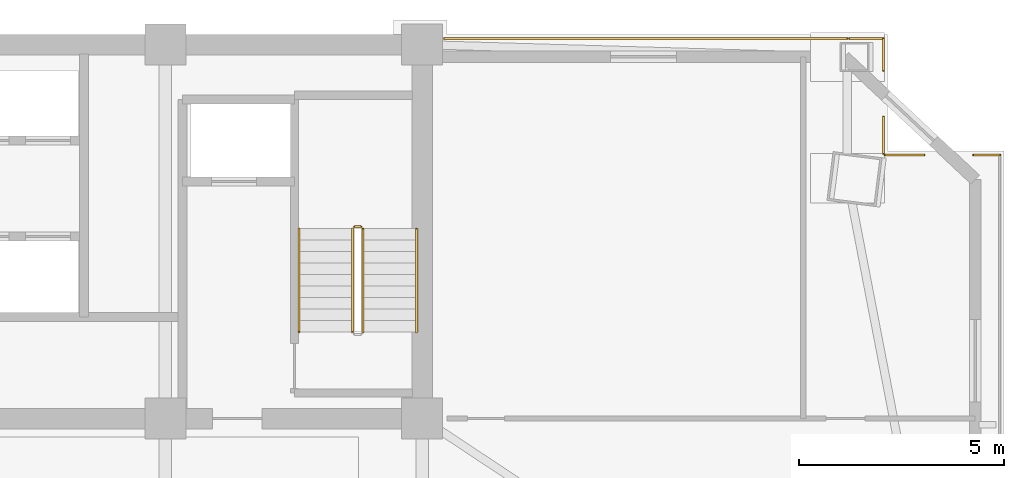
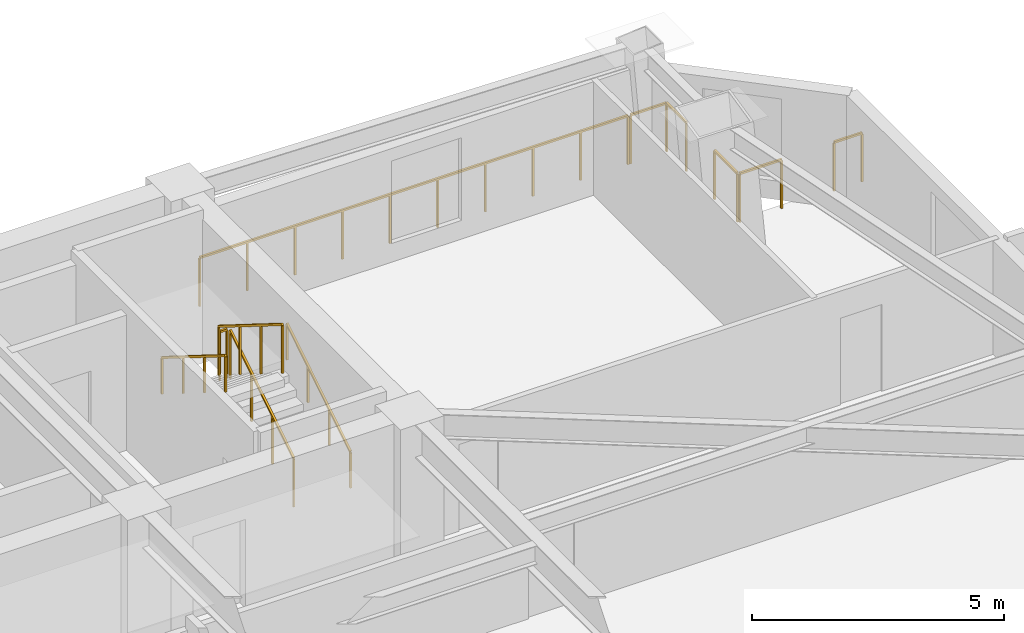
# One storey, part 16 of 16: 11 railings.
"""IFC4 building model written with IfcOpenShell, lengths in metres."""

import ifcopenshell
import ifcopenshell.guid

model = None  # the IFC model being written
_history = None  # IfcOwnerHistory: only IFC2X3 demands one
_inside = {}  # id of a spatial element -> (the spatial element, [elements in it])
_under = {}  # id of a project, library or spatial element -> (it, [spatial elements below it])
_declared = {}  # id of a project -> (the project, [libraries it declares])
_typed = {}  # id of a type object -> (the type object, [elements of that type])
_made_of = {}  # id of a material, layer set ... -> (it, [elements and type objects made of it])


def new_model(schema):
    """Start an empty IFC model of exactly this schema.

    Asked for "IFC4X3", IfcOpenShell would pick the latest addendum, in which some entities
    have other attributes; the version numbers below select the first issue.
    IFC2X3 requires an IfcOwnerHistory on every rooted entity: one is made here for all.
    """
    global model, _history
    if schema == "IFC4X3":
        model = ifcopenshell.file(schema_version=(4, 3, 0, 0))
    else:
        model = ifcopenshell.file(schema=schema)
    _inside.clear()
    _under.clear()
    _declared.clear()
    _typed.clear()
    _made_of.clear()
    _history = None
    if model.schema == "IFC2X3":
        org = make("IfcOrganization", Name="unknown")
        user = make(
            "IfcPersonAndOrganization",
            ThePerson=make("IfcPerson", FamilyName="unknown"),
            TheOrganization=org,
        )
        app = make(
            "IfcApplication",
            ApplicationDeveloper=org,
            Version="unknown",
            ApplicationFullName="unknown",
            ApplicationIdentifier="unknown",
        )
        _history = make(
            "IfcOwnerHistory",
            OwningUser=user,
            OwningApplication=app,
            ChangeAction="ADDED",
            CreationDate=0,
        )
    return model


def make(cls, **values):
    """One entity of the class cls with the attributes given. An attribute that is None is left unset."""
    return model.create_entity(
        cls, **{name: value for name, value in values.items() if value is not None}
    )


def rooted(cls, **values):
    """An entity with a GlobalId (a new one), such as an element, a storey or a relation."""
    return make(cls, GlobalId=ifcopenshell.guid.new(), OwnerHistory=_history, **values)


def si_unit(unit_type, name, prefix=None):
    """IfcSIUnit, for example si_unit("LENGTHUNIT", "METRE", prefix="MILLI")."""
    return make("IfcSIUnit", UnitType=unit_type, Prefix=prefix, Name=name)


def assignment(units):
    """IfcUnitAssignment: the units of a project."""
    return None if units is None else make("IfcUnitAssignment", Units=units)


def point(xyz):
    """IfcCartesianPoint."""
    return None if xyz is None else make("IfcCartesianPoint", Coordinates=xyz)


def direction(xyz):
    """IfcDirection."""
    return None if xyz is None else make("IfcDirection", DirectionRatios=xyz)


def frame(location, z_axis=None, x_axis=None):
    """IfcAxis2Placement3D, a coordinate frame: its origin and axes. An axis left out is left unset."""
    return make(
        "IfcAxis2Placement3D",
        Location=point(location),
        Axis=direction(z_axis),
        RefDirection=direction(x_axis),
    )


def frame_2d(location, x_axis=None):
    """IfcAxis2Placement2D, a coordinate frame in the plane: its origin and x axis."""
    return make(
        "IfcAxis2Placement2D", Location=point(location), RefDirection=direction(x_axis)
    )


def origin():
    """The frame at (0, 0, 0) with its axes left unset."""
    return frame((0.0, 0.0, 0.0))


def origin_2d():
    """The frame at (0, 0) in the plane with its x axis left unset."""
    return frame_2d((0.0, 0.0))


def place(relative_to, where):
    """IfcLocalPlacement: puts the frame where relative to a parent placement (None: the world)."""
    return make(
        "IfcLocalPlacement", PlacementRelTo=relative_to, RelativePlacement=where
    )


def context(
    kind, dimensions, precision=None, world=None, true_north=None, identifier=None
):
    """IfcGeometricRepresentationContext, for example the 3D "Model" context."""
    return make(
        "IfcGeometricRepresentationContext",
        ContextIdentifier=identifier,
        ContextType=kind,
        CoordinateSpaceDimension=dimensions,
        Precision=precision,
        WorldCoordinateSystem=world,
        TrueNorth=true_north,
    )


def subcontext(parent, identifier, kind, view, scale=None):
    """IfcGeometricRepresentationSubContext, for example "Body" below "Model"."""
    return make(
        "IfcGeometricRepresentationSubContext",
        ContextIdentifier=identifier,
        ContextType=kind,
        ParentContext=parent,
        TargetScale=scale,
        TargetView=view,
    )


def project(units=None, contexts=None):
    """IfcProject with its units and contexts."""
    return rooted(
        "IfcProject",
        Name="project",
        RepresentationContexts=contexts,
        UnitsInContext=assignment(units),
    )


def spatial(cls, under=None, at=None, **own):
    """A site, building, storey or space (cls), placed at a placement, below another one or the project."""
    s = rooted(cls, ObjectPlacement=at, **own)
    if under is not None:
        _under.setdefault(under.id(), (under, []))[1].append(s)
    return s


def profile(cls, at=None, kind="AREA", **sizes):
    """A parametric profile (cls). Its sizes go by their IFC names, for example OverallWidth=200.0."""
    return make(cls, ProfileType=kind, Position=at, **sizes)


def rectangle(**sizes):
    """IfcRectangleProfileDef."""
    return profile("IfcRectangleProfileDef", **sizes)


def extrude(swept, where, along, depth):
    """IfcExtrudedAreaSolid: the profile swept, set in the frame where, extruded along a direction by depth."""
    return make(
        "IfcExtrudedAreaSolid",
        SweptArea=swept,
        Position=where,
        ExtrudedDirection=direction(along),
        Depth=depth,
    )


def shape(context_of_items, identifier, shape_type, items):
    """IfcShapeRepresentation: the items that make up one representation, for example the "Body"."""
    return make(
        "IfcShapeRepresentation",
        ContextOfItems=context_of_items,
        RepresentationIdentifier=identifier,
        RepresentationType=shape_type,
        Items=items,
    )


def material(Name=None, Category=None):
    """IfcMaterial."""
    return make("IfcMaterial", Name=Name, Category=Category)


def made_of(thing, what):
    """Note that an element or type object is made of a material, layer set ...; save() writes the relation."""
    if what is not None:
        _made_of.setdefault(what.id(), (what, []))[1].append(thing)
    return thing


def type_object(cls, material=None, **own):
    """A type object (cls), such as IfcWallType, which elements share."""
    return made_of(rooted(cls, **own), material)


def element(
    cls,
    number,
    at=None,
    inside=None,
    cuts=None,
    type_object=None,
    material=None,
    context=None,
    identifier="Body",
    shape_type=None,
    held_by="IfcProductDefinitionShape",
    body=None,
    shapes=None,
    **own,
):
    """One element of the class cls, such as IfcWall. Its Tag is "e" and its number.

    at: its placement. inside: the storey or other place that contains it. cuts: it is an
    opening in that element (IfcRelVoidsElement). A single representation is given by context,
    identifier, shape_type and body (its items); several are given by shapes. held_by: the class
    of the entity that holds the representations. save() writes the other relations.
    """
    e = rooted(cls, Tag="e%d" % number, ObjectPlacement=at, **own)
    if body is not None:
        shapes = [shape(context, identifier, shape_type, body)]
    if shapes is not None:
        e.Representation = make(held_by, Representations=shapes)
    if inside is not None:
        _inside.setdefault(inside.id(), (inside, []))[1].append(e)
    if cuts is not None:
        rooted(
            "IfcRelVoidsElement", RelatingBuildingElement=cuts, RelatedOpeningElement=e
        )
    if type_object is not None:
        _typed.setdefault(type_object.id(), (type_object, []))[1].append(e)
    return made_of(e, material)


def aggregate(whole, parts):
    """IfcRelAggregates: a whole, such as a stair, and the parts it consists of."""
    return rooted("IfcRelAggregates", RelatingObject=whole, RelatedObjects=parts)


def save(model, path):
    """Write the relations noted so far, then the file.

    IfcRelAggregates (storeys below a building ...), IfcRelContainedInSpatialStructure (elements
    in a storey), IfcRelDefinesByType, IfcRelAssociatesMaterial and IfcRelDeclares: one each for
    every whole, place, type object, material and project.
    """
    for whole, parts in _under.values():
        aggregate(whole, parts)
    for where, things in _inside.values():
        rooted(
            "IfcRelContainedInSpatialStructure",
            RelatedElements=things,
            RelatingStructure=where,
        )
    for kind, things in _typed.values():
        rooted("IfcRelDefinesByType", RelatedObjects=things, RelatingType=kind)
    for what, things in _made_of.values():
        rooted("IfcRelAssociatesMaterial", RelatedObjects=things, RelatingMaterial=what)
    for by, libraries in _declared.values():
        rooted("IfcRelDeclares", RelatingContext=by, RelatedDefinitions=libraries)
    model.write(path)


model = new_model("IFC4")

# Units and contexts
model_context = context("Model", 3, precision=1e-05, world=origin(), true_north=direction((0.0, 1.0)))
body_context = subcontext(model_context, "Body", "Model", "MODEL_VIEW")
ifc_project = project(units=[si_unit("LENGTHUNIT", "METRE"), si_unit("AREAUNIT", "SQUARE_METRE"), si_unit("VOLUMEUNIT", "CUBIC_METRE"), si_unit("PLANEANGLEUNIT", "RADIAN"), si_unit("MASSUNIT", "GRAM", prefix="KILO")], contexts=[model_context])

# Site, building, storey
site_placement = place(None, origin())
site = spatial("IfcSite", under=ifc_project, at=site_placement, CompositionType="ELEMENT")
building_placement = place(site_placement, origin())
building = spatial("IfcBuilding", under=site, at=building_placement, Name="Giltprow Tower", CompositionType="ELEMENT")
storey_placement = place(building_placement, frame((0.0, 0.0, 199.199951171875)))
storey = spatial("IfcBuildingStorey", under=building, at=storey_placement, Name="L50", CompositionType="ELEMENT", Elevation=199.199951171875)

# Railings
ifc_material = material(Name="Anodized bronze", Category="metal")
railing_type_1 = type_object("IfcRailingType", Name="RAIL-BALC-GUARD-1200", PredefinedType="BALUSTRADE", material=ifc_material)
railing_1_placement = place(storey_placement, frame((51.0849609375, 46.699951171875, 0.0)))
element("IfcRailing", 1, at=railing_1_placement, inside=storey, type_object=railing_type_1, Name="L50 Corner Apron Edge Balustrade 20", PredefinedType="BALUSTRADE", context=body_context, shape_type="SweptSolid", body=[
    extrude(rectangle(XDim=0.048095703125, YDim=0.048095703125, at=origin_2d()), frame((0.0, 0.0, 1.17578125), z_axis=(1.0, 0.0, 0.0), x_axis=(0.0, 1.0, 0.0)), (0.0, 0.0, 1.0), 9.80712890625),
    extrude(rectangle(XDim=0.0419921875, YDim=0.0419921875, at=origin_2d()), origin(), (0.0, 0.0, 1.0), 1.15185546875),
    extrude(rectangle(XDim=0.0419921875, YDim=0.0419921875, at=origin_2d()), frame((1.089599609375, 0.0, 0.0)), (0.0, 0.0, 1.0), 1.15185546875),
    extrude(rectangle(XDim=0.0419921875, YDim=0.0419921875, at=origin_2d()), frame((2.179443359375, 0.0, 0.0)), (0.0, 0.0, 1.0), 1.15185546875),
    extrude(rectangle(XDim=0.0419921875, YDim=0.0419921875, at=origin_2d()), frame((3.26904296875, 0.0, 0.0)), (0.0, 0.0, 1.0), 1.15185546875),
    extrude(rectangle(XDim=0.0419921875, YDim=0.0419921875, at=origin_2d()), frame((4.358642578125, 0.0, 0.0)), (0.0, 0.0, 1.0), 1.15185546875),
    extrude(rectangle(XDim=0.0419921875, YDim=0.0419921875, at=origin_2d()), frame((5.448486328125, 0.0, 0.0)), (0.0, 0.0, 1.0), 1.15185546875),
    extrude(rectangle(XDim=0.0419921875, YDim=0.0419921875, at=origin_2d()), frame((6.5380859375, 0.0, 0.0)), (0.0, 0.0, 1.0), 1.15185546875),
    extrude(rectangle(XDim=0.0419921875, YDim=0.0419921875, at=origin_2d()), frame((7.627685546875, 0.0, 0.0)), (0.0, 0.0, 1.0), 1.15185546875),
    extrude(rectangle(XDim=0.0419921875, YDim=0.0419921875, at=origin_2d()), frame((8.717529296875, 0.0, 0.0)), (0.0, 0.0, 1.0), 1.15185546875),
    extrude(rectangle(XDim=0.0419921875, YDim=0.0419921875, at=origin_2d()), frame((9.80712890625, 0.0, 0.0)), (0.0, 0.0, 1.0), 1.15185546875),
])
railing_2_placement = place(storey_placement, frame((60.946044921875, 46.699951171875, 0.0)))
element("IfcRailing", 2, at=railing_2_placement, inside=storey, type_object=railing_type_1, Name="L50 Corner Apron Edge Balustrade 21", PredefinedType="BALUSTRADE", context=body_context, shape_type="SweptSolid", body=[
    extrude(rectangle(XDim=0.048095703125, YDim=0.048095703125, at=origin_2d()), frame((0.0, 0.0, 1.17578125), z_axis=(1.0, 0.0, 0.0), x_axis=(0.0, 1.0, 0.0)), (0.0, 0.0, 1.0), 0.8310546875),
    extrude(rectangle(XDim=0.0419921875, YDim=0.0419921875, at=origin_2d()), origin(), (0.0, 0.0, 1.0), 1.15185546875),
    extrude(rectangle(XDim=0.0419921875, YDim=0.0419921875, at=origin_2d()), frame((0.8310546875, 0.0, 0.0)), (0.0, 0.0, 1.0), 1.15185546875),
])
railing_3_placement = place(storey_placement, frame((61.777099609375, 46.699951171875, 0.0)))
element("IfcRailing", 3, at=railing_3_placement, inside=storey, type_object=railing_type_1, Name="L50 Corner Apron Edge Balustrade 22", PredefinedType="BALUSTRADE", context=body_context, shape_type="SweptSolid", body=[
    extrude(rectangle(XDim=0.048095703125, YDim=0.048095703125, at=origin_2d()), frame((0.0, 0.0, 1.17578125), z_axis=(0.0, -1.0, 0.0), x_axis=(1.0, 0.0, 0.0)), (0.0, 0.0, 1.0), 0.77783203125),
    extrude(rectangle(XDim=0.0419921875, YDim=0.0419921875, at=origin_2d()), origin(), (0.0, 0.0, 1.0), 1.15185546875),
    extrude(rectangle(XDim=0.0419921875, YDim=0.0419921875, at=origin_2d()), frame((0.0, -0.77783203125, 0.0)), (0.0, 0.0, 1.0), 1.15185546875),
])
railing_4_placement = place(storey_placement, frame((61.777099609375, 44.798095703125, 0.0)))
element("IfcRailing", 4, at=railing_4_placement, inside=storey, type_object=railing_type_1, Name="L50 Corner Apron Edge Balustrade 23", PredefinedType="BALUSTRADE", context=body_context, shape_type="SweptSolid", body=[
    extrude(rectangle(XDim=0.048095703125, YDim=0.048095703125, at=origin_2d()), frame((0.0, 0.0, 1.17578125), z_axis=(0.0, -1.0, 0.0), x_axis=(1.0, 0.0, 0.0)), (0.0, 0.0, 1.0), 0.898193359375),
    extrude(rectangle(XDim=0.0419921875, YDim=0.0419921875, at=origin_2d()), origin(), (0.0, 0.0, 1.0), 1.15185546875),
    extrude(rectangle(XDim=0.0419921875, YDim=0.0419921875, at=origin_2d()), frame((0.0, -0.898193359375, 0.0)), (0.0, 0.0, 1.0), 1.15185546875),
])
railing_5_placement = place(storey_placement, frame((61.81201171875, 43.864990234375, 0.0)))
element("IfcRailing", 5, at=railing_5_placement, inside=storey, type_object=railing_type_1, Name="L50 Corner Apron Edge Balustrade 24", PredefinedType="BALUSTRADE", context=body_context, shape_type="SweptSolid", body=[
    extrude(rectangle(XDim=0.048095703125, YDim=0.048095703125, at=origin_2d()), frame((0.0, 0.0, 1.17578125), z_axis=(1.0, 0.0, 0.0), x_axis=(0.0, 1.0, 0.0)), (0.0, 0.0, 1.0), 0.9599609375),
    extrude(rectangle(XDim=0.0419921875, YDim=0.0419921875, at=origin_2d()), origin(), (0.0, 0.0, 1.0), 1.15185546875),
    extrude(rectangle(XDim=0.0419921875, YDim=0.0419921875, at=origin_2d()), frame((0.9599609375, 0.0, 0.0)), (0.0, 0.0, 1.0), 1.15185546875),
])
railing_6_placement = place(storey_placement, frame((63.970947265625, 43.864990234375, 0.0)))
element("IfcRailing", 6, at=railing_6_placement, inside=storey, type_object=railing_type_1, Name="L50 Corner Apron Edge Balustrade 25", PredefinedType="BALUSTRADE", context=body_context, shape_type="SweptSolid", body=[
    extrude(rectangle(XDim=0.048095703125, YDim=0.048095703125, at=origin_2d()), frame((0.0, 0.0, 1.17578125), z_axis=(1.0, 0.0, 0.0), x_axis=(0.0, 1.0, 0.0)), (0.0, 0.0, 1.0), 0.64111328125),
    extrude(rectangle(XDim=0.0419921875, YDim=0.0419921875, at=origin_2d()), origin(), (0.0, 0.0, 1.0), 1.15185546875),
    extrude(rectangle(XDim=0.0419921875, YDim=0.0419921875, at=origin_2d()), frame((0.64111328125, 0.0, 0.0)), (0.0, 0.0, 1.0), 1.15185546875),
])
railing_type_2 = type_object("IfcRailingType", Name="RAIL-STAIR-GUARD-1200", PredefinedType="GUARDRAIL", material=ifc_material)
railing_7_placement = place(storey_placement, frame((49.110107421875, 39.550048828125, 0.175048828125)))
element("IfcRailing", 7, at=railing_7_placement, inside=storey, type_object=railing_type_2, Name="L50 ST-3 stair guard 1", PredefinedType="GUARDRAIL", context=body_context, shape_type="SweptSolid", body=[
    extrude(rectangle(XDim=0.048095703125, YDim=0.048095703125, at=origin_2d()), frame((0.0, 0.0, 1.17578125), z_axis=(0.0, 0.848007534815, 0.529984170421), x_axis=(-1.0, 0.0, 0.0)), (0.0, 0.0, 1.0), 2.9716796875),
    extrude(rectangle(XDim=0.0419921875, YDim=0.0419921875, at=origin_2d()), origin(), (0.0, 0.0, 1.0), 1.15185546875),
    extrude(rectangle(XDim=0.0419921875, YDim=0.0419921875, at=origin_2d()), frame((0.0, 0.840087890625, 0.52490234375)), (0.0, 0.0, 1.0), 1.15185546875),
    extrude(rectangle(XDim=0.0419921875, YDim=0.0419921875, at=origin_2d()), frame((0.0, 1.679931640625, 1.050048828125)), (0.0, 0.0, 1.0), 1.15185546875),
    extrude(rectangle(XDim=0.0419921875, YDim=0.0419921875, at=origin_2d()), frame((0.0, 2.52001953125, 1.574951171875)), (0.0, 0.0, 1.0), 1.15185546875),
])
railing_8_placement = place(storey_placement, frame((49.06005859375, 42.1201171875, 1.75)))
element("IfcRailing", 8, at=railing_8_placement, inside=storey, type_object=railing_type_2, Name="L50 ST-3 stair guard 2", PredefinedType="GUARDRAIL", context=body_context, shape_type="SweptSolid", body=[
    extrude(rectangle(XDim=0.048095703125, YDim=0.048095703125, at=origin_2d()), frame((0.0, 0.0, 1.17578125), z_axis=(-1.0, 0.0, 0.0), x_axis=(0.0, -1.0, 0.0)), (0.0, 0.0, 1.0), 0.16015625),
    extrude(rectangle(XDim=0.0419921875, YDim=0.0419921875, at=origin_2d()), origin(), (0.0, 0.0, 1.0), 1.15185546875),
    extrude(rectangle(XDim=0.0419921875, YDim=0.0419921875, at=origin_2d()), frame((-0.16015625, 0.0, 0.0)), (0.0, 0.0, 1.0), 1.15185546875),
])
railing_9_placement = place(storey_placement, frame((48.85009765625, 42.070068359375, 1.925048828125)))
element("IfcRailing", 9, at=railing_9_placement, inside=storey, type_object=railing_type_2, Name="L50 ST-3 stair guard 3", PredefinedType="GUARDRAIL", context=body_context, shape_type="SweptSolid", body=[
    extrude(rectangle(XDim=0.048095703125, YDim=0.048095703125, at=origin_2d()), frame((0.0, 0.0, 1.17578125), z_axis=(0.0, -0.848007534815, 0.529984170421), x_axis=(1.0, 0.0, 0.0)), (0.0, 0.0, 1.0), 2.9716796875),
    extrude(rectangle(XDim=0.0419921875, YDim=0.0419921875, at=origin_2d()), origin(), (0.0, 0.0, 1.0), 1.15185546875),
    extrude(rectangle(XDim=0.0419921875, YDim=0.0419921875, at=origin_2d()), frame((0.0, -0.840087890625, 0.52490234375)), (0.0, 0.0, 1.0), 1.15185546875),
    extrude(rectangle(XDim=0.0419921875, YDim=0.0419921875, at=origin_2d()), frame((0.0, -1.679931640625, 1.050048828125)), (0.0, 0.0, 1.0), 1.15185546875),
    extrude(rectangle(XDim=0.0419921875, YDim=0.0419921875, at=origin_2d()), frame((0.0, -2.52001953125, 1.574951171875)), (0.0, 0.0, 1.0), 1.15185546875),
])
railing_type_3 = type_object("IfcRailingType", Name="RAIL-STAIR-HAND-900", PredefinedType="HANDRAIL", material=ifc_material)
railing_10_placement = place(storey_placement, frame((50.409912109375, 39.550048828125, 0.175048828125)))
element("IfcRailing", 10, at=railing_10_placement, inside=storey, type_object=railing_type_3, Name="L50 ST-3 stair handrail 1", PredefinedType="HANDRAIL", context=body_context, shape_type="SweptSolid", body=[
    extrude(rectangle(XDim=0.048095703125, YDim=0.048095703125, at=origin_2d()), frame((0.0, 0.0, 0.8759765625), z_axis=(0.0, 0.848007534815, 0.529984170421), x_axis=(-1.0, 0.0, 0.0)), (0.0, 0.0, 1.0), 2.9716796875),
    extrude(rectangle(XDim=0.0419921875, YDim=0.0419921875, at=origin_2d()), origin(), (0.0, 0.0, 1.0), 0.851806640625),
    extrude(rectangle(XDim=0.0419921875, YDim=0.0419921875, at=origin_2d()), frame((0.0, 0.840087890625, 0.52490234375)), (0.0, 0.0, 1.0), 0.851806640625),
    extrude(rectangle(XDim=0.0419921875, YDim=0.0419921875, at=origin_2d()), frame((0.0, 1.679931640625, 1.050048828125)), (0.0, 0.0, 1.0), 0.851806640625),
    extrude(rectangle(XDim=0.0419921875, YDim=0.0419921875, at=origin_2d()), frame((0.0, 2.52001953125, 1.574951171875)), (0.0, 0.0, 1.0), 0.851806640625),
])
railing_11_placement = place(storey_placement, frame((47.550048828125, 42.070068359375, 1.925048828125)))
element("IfcRailing", 11, at=railing_11_placement, inside=storey, type_object=railing_type_3, Name="L50 ST-3 stair handrail 2", PredefinedType="HANDRAIL", context=body_context, shape_type="SweptSolid", body=[
    extrude(rectangle(XDim=0.048095703125, YDim=0.048095703125, at=origin_2d()), frame((0.0, 0.0, 0.8759765625), z_axis=(0.0, -0.848007534815, 0.529984170421), x_axis=(1.0, 0.0, 0.0)), (0.0, 0.0, 1.0), 2.9716796875),
    extrude(rectangle(XDim=0.0419921875, YDim=0.0419921875, at=origin_2d()), origin(), (0.0, 0.0, 1.0), 0.851806640625),
    extrude(rectangle(XDim=0.0419921875, YDim=0.0419921875, at=origin_2d()), frame((0.0, -0.840087890625, 0.52490234375)), (0.0, 0.0, 1.0), 0.851806640625),
    extrude(rectangle(XDim=0.0419921875, YDim=0.0419921875, at=origin_2d()), frame((0.0, -1.679931640625, 1.050048828125)), (0.0, 0.0, 1.0), 0.851806640625),
    extrude(rectangle(XDim=0.0419921875, YDim=0.0419921875, at=origin_2d()), frame((0.0, -2.52001953125, 1.574951171875)), (0.0, 0.0, 1.0), 0.851806640625),
])

save(model, "model.ifc")
